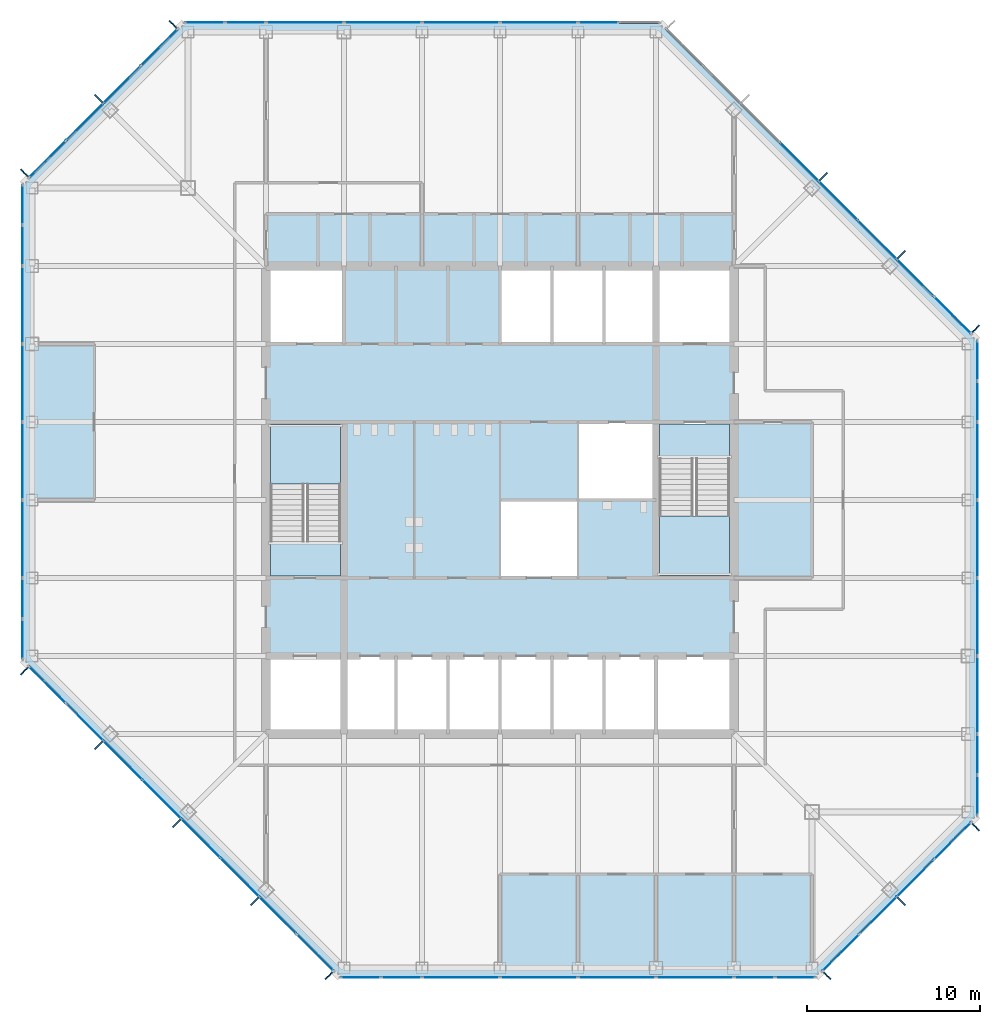
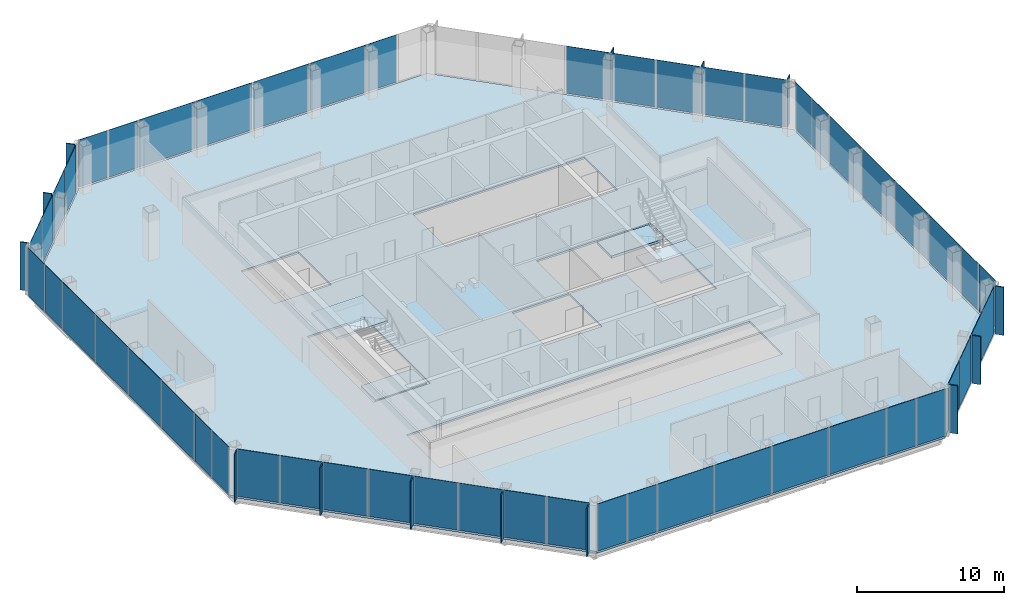
# One storey, part 7 of 12: 66 plates, 5 slabs, 10 elements without a shape of their own.
"""IFC4 building model written with IfcOpenShell, lengths in metres."""

from ifc_helpers import new_model, si_unit, direction, frame, origin, origin_2d, place, context, subcontext, project, spatial, polyline, rectangle, outline, extrude, material, layer, layer_set, type_object, element, aggregate, save


model = new_model("IFC4")

# Units and contexts
model_context = context("Model", 3, precision=1e-05, world=origin(), true_north=direction((0.0, 1.0)))
body_context = subcontext(model_context, "Body", "Model", "MODEL_VIEW")
ifc_project = project(units=[si_unit("LENGTHUNIT", "METRE"), si_unit("AREAUNIT", "SQUARE_METRE"), si_unit("VOLUMEUNIT", "CUBIC_METRE"), si_unit("PLANEANGLEUNIT", "RADIAN"), si_unit("MASSUNIT", "GRAM", prefix="KILO")], contexts=[model_context])

# Site, building, storey
site_placement = place(None, origin())
site = spatial("IfcSite", under=ifc_project, at=site_placement, CompositionType="ELEMENT")
building_placement = place(site_placement, origin())
building = spatial("IfcBuilding", under=site, at=building_placement, Name="Corais Broadcast Tower", CompositionType="ELEMENT")
storey_placement = place(building_placement, frame((0.0, 0.0, 159.60009765625)))
storey = spatial("IfcBuildingStorey", under=building, at=storey_placement, Name="L36", CompositionType="ELEMENT", Elevation=159.60009765625)

# Slab
ifc_material_1 = material(Name="Concrete C30/37", Category="concrete")
ifc_layer_1 = layer(ifc_material_1, 0.159912109375)
ifc_layer_set_1 = layer_set([ifc_layer_1], Name="Concrete C30/37")
slab_type_1 = type_object("IfcSlabType", Name="Composite floor slab 160", PredefinedType="FLOOR", material=ifc_layer_set_1)
slab_1_placement = place(storey_placement, frame((0.0, 0.0, -0.16015625)))
element("IfcSlab", 1, at=slab_1_placement, inside=storey, type_object=slab_type_1, Name="S160 floor slab L36", PredefinedType="FLOOR", context=body_context, shape_type="SweptSolid", body=[
    extrude(outline(polyline([(17.80126953125, -0.47998046875), (-0.47998046875, 17.80126953125), (-0.47998046875, 45.19873046875), (8.80126953125, 54.47998046875), (36.19873046875, 54.47998046875), (54.47998046875, 36.19873046875), (54.47998046875, 8.80126953125), (45.19873046875, -0.47998046875), (17.80126953125, -0.47998046875)]), holes=[polyline([(13.5, 18.0), (40.5, 18.0), (40.5, 13.5), (13.5, 13.5), (13.5, 18.0)]), polyline([(18.0, 22.5), (13.5, 22.5), (13.5, 31.5), (18.0, 31.5), (18.0, 22.5)]), polyline([(18.0, 36.0), (13.5, 36.0), (13.5, 40.5), (18.0, 40.5), (18.0, 36.0)]), polyline([(31.5, 22.5), (27.0, 22.5), (27.0, 27.0), (31.4951171875, 27.0), (31.4951171875, 27.0048828125), (31.5, 27.0048828125), (31.5, 31.5), (40.5, 31.5), (40.5, 22.5), (36.0, 22.5), (36.0, 27.0), (31.5048828125, 27.0), (31.5048828125, 26.9951171875), (31.5, 26.9951171875), (31.5, 22.5)]), polyline([(27.0, 40.5), (40.5, 40.5), (40.5, 36.0), (27.0, 36.0), (27.0, 40.5)])]), origin(), (0.0, 0.0, 1.0), 0.16015625),
])

# Curtain wall, plates
ifc_material_2 = material(Name="Aluminium and glass", Category="aluminium")
curtain_wall_type = type_object("IfcCurtainWallType", Name="Unitised fritted curtain wall CW2", PredefinedType="NOTDEFINED", material=ifc_material_2)
curtain_wall_1_placement = place(storey_placement, origin())
curtain_wall_1 = element("IfcCurtainWall", 2, at=curtain_wall_1_placement, inside=storey, type_object=curtain_wall_type, Name="CW2 curtain wall L36 1", PredefinedType="NOTDEFINED")
ifc_material_3 = material(Name="Ceramic-fritted laminated glass", Category="glass")
ifc_layer_2 = layer(ifc_material_3, 0.028076171875)
ifc_layer_set_2 = layer_set([ifc_layer_2], Name="Ceramic-fritted laminated glass")
plate_type_1 = type_object("IfcPlateType", Name="Fritted glass panel CW2", PredefinedType="CURTAIN_PANEL", material=ifc_layer_set_2)
plate_1_placement = place(storey_placement, frame((16.330322265625, 0.891845703125, 0.06494140625), z_axis=(0.0, 0.0, 1.0), x_axis=(-0.707106781187, 0.707106781187, 0.0)))
plate_1 = element("IfcPlate", 3, at=plate_1_placement, type_object=plate_type_1, Name="CW2 panel 1", PredefinedType="CURTAIN_PANEL", context=body_context, shape_type="SweptSolid", body=[
    extrude(rectangle(XDim=2.9482421875, YDim=0.028076171875, at=origin_2d()), origin(), (0.0, 0.0, 1.0), 3.93505859375),
])
plate_2_placement = place(storey_placement, frame((11.986083984375, 5.236083984375, 0.06494140625), z_axis=(0.0, 0.0, 1.0), x_axis=(-0.707106781187, 0.707106781187, 0.0)))
plate_2 = element("IfcPlate", 4, at=plate_2_placement, type_object=plate_type_1, Name="CW2 panel 3", PredefinedType="CURTAIN_PANEL", context=body_context, shape_type="SweptSolid", body=[
    extrude(rectangle(XDim=3.116943359375, YDim=0.028076171875, at=origin_2d()), origin(), (0.0, 0.0, 1.0), 3.93505859375),
])
plate_3_placement = place(storey_placement, frame((7.486083984375, 9.736083984375, 0.06494140625), z_axis=(0.0, 0.0, 1.0), x_axis=(-0.707106781187, 0.707106781187, 0.0)))
plate_3 = element("IfcPlate", 5, at=plate_3_placement, type_object=plate_type_1, Name="CW2 panel 5", PredefinedType="CURTAIN_PANEL", context=body_context, shape_type="SweptSolid", body=[
    extrude(rectangle(XDim=3.116943359375, YDim=0.028076171875, at=origin_2d()), origin(), (0.0, 0.0, 1.0), 3.93505859375),
])
plate_4_placement = place(storey_placement, frame((3.0341796875, 14.18798828125, 0.06494140625), z_axis=(0.0, 0.0, 1.0), x_axis=(-0.707106781187, 0.707106781187, 0.0)))
plate_4 = element("IfcPlate", 6, at=plate_4_placement, type_object=plate_type_1, Name="CW2 panel 7", PredefinedType="CURTAIN_PANEL", context=body_context, shape_type="SweptSolid", body=[
    extrude(rectangle(XDim=2.98095703125, YDim=0.028076171875, at=origin_2d()), origin(), (0.0, 0.0, 1.0), 3.93505859375),
])

curtain_wall_2_placement = place(storey_placement, origin())
curtain_wall_2 = element("IfcCurtainWall", 7, at=curtain_wall_2_placement, inside=storey, type_object=curtain_wall_type, Name="CW2 curtain wall L36 2", PredefinedType="NOTDEFINED")
plate_5_placement = place(storey_placement, frame((-0.550048828125, 18.970458984375, 0.06494140625), z_axis=(0.0, 0.0, 1.0), x_axis=(0.0, 1.0, 0.0)))
plate_5 = element("IfcPlate", 8, at=plate_5_placement, type_object=plate_type_1, Name="CW2 panel 1", PredefinedType="CURTAIN_PANEL", context=body_context, shape_type="SweptSolid", body=[
    extrude(rectangle(XDim=2.266357421875, YDim=0.028076171875, at=origin_2d()), origin(), (0.0, 0.0, 1.0), 3.93505859375),
])
plate_6_placement = place(storey_placement, frame((-0.550048828125, 24.75, 0.06494140625), z_axis=(0.0, 0.0, 1.0), x_axis=(0.0, 1.0, 0.0)))
plate_6 = element("IfcPlate", 9, at=plate_6_placement, type_object=plate_type_1, Name="CW2 panel 3", PredefinedType="CURTAIN_PANEL", context=body_context, shape_type="SweptSolid", body=[
    extrude(rectangle(XDim=4.43505859375, YDim=0.028076171875, at=origin_2d()), origin(), (0.0, 0.0, 1.0), 3.93505859375),
])
plate_7_placement = place(storey_placement, frame((-0.550048828125, 33.75, 0.06494140625), z_axis=(0.0, 0.0, 1.0), x_axis=(0.0, 1.0, 0.0)))
plate_7 = element("IfcPlate", 10, at=plate_7_placement, type_object=plate_type_1, Name="CW2 panel 5", PredefinedType="CURTAIN_PANEL", context=body_context, shape_type="SweptSolid", body=[
    extrude(rectangle(XDim=4.43505859375, YDim=0.028076171875, at=origin_2d()), origin(), (0.0, 0.0, 1.0), 3.93505859375),
])
plate_8_placement = place(storey_placement, frame((-0.550048828125, 41.681884765625, 0.06494140625), z_axis=(0.0, 0.0, 1.0), x_axis=(0.0, 1.0, 0.0)))
plate_8 = element("IfcPlate", 11, at=plate_8_placement, type_object=plate_type_1, Name="CW2 panel 7", PredefinedType="CURTAIN_PANEL", context=body_context, shape_type="SweptSolid", body=[
    extrude(rectangle(XDim=2.298828125, YDim=0.028076171875, at=origin_2d()), origin(), (0.0, 0.0, 1.0), 3.93505859375),
])

curtain_wall_3_placement = place(storey_placement, origin())
curtain_wall_3 = element("IfcCurtainWall", 12, at=curtain_wall_3_placement, inside=storey, type_object=curtain_wall_type, Name="CW2 curtain wall L36 3", PredefinedType="NOTDEFINED")
plate_9_placement = place(storey_placement, frame((0.891845703125, 46.669677734375, 0.06494140625), z_axis=(0.0, 0.0, 1.0), x_axis=(0.707106781187, 0.707106781187, 0.0)))
plate_9 = element("IfcPlate", 13, at=plate_9_placement, type_object=plate_type_1, Name="CW2 panel 1", PredefinedType="CURTAIN_PANEL", context=body_context, shape_type="SweptSolid", body=[
    extrude(rectangle(XDim=2.9482421875, YDim=0.028076171875, at=origin_2d()), origin(), (0.0, 0.0, 1.0), 3.93505859375),
])
plate_10_placement = place(storey_placement, frame((5.18798828125, 50.9658203125, 0.06494140625), z_axis=(0.0, 0.0, 1.0), x_axis=(0.707106781187, 0.707106781187, 0.0)))
plate_10 = element("IfcPlate", 14, at=plate_10_placement, type_object=plate_type_1, Name="CW2 panel 3", PredefinedType="CURTAIN_PANEL", context=body_context, shape_type="SweptSolid", body=[
    extrude(rectangle(XDim=2.98095703125, YDim=0.028076171875, at=origin_2d()), origin(), (0.0, 0.0, 1.0), 3.93505859375),
])

curtain_wall_4_placement = place(storey_placement, origin())
curtain_wall_4 = element("IfcCurtainWall", 15, at=curtain_wall_4_placement, inside=storey, type_object=curtain_wall_type, Name="CW2 curtain wall L36 4", PredefinedType="NOTDEFINED")
plate_11_placement = place(storey_placement, frame((9.970458984375, 54.550048828125, 0.06494140625), z_axis=(0.0, 0.0, 1.0), x_axis=(1.0, 0.0, 0.0)))
plate_11 = element("IfcPlate", 16, at=plate_11_placement, type_object=plate_type_1, Name="CW2 panel 1", PredefinedType="CURTAIN_PANEL", context=body_context, shape_type="SweptSolid", body=[
    extrude(rectangle(XDim=2.266357421875, YDim=0.028076171875, at=origin_2d()), origin(), (0.0, 0.0, 1.0), 3.93505859375),
])
plate_12_placement = place(storey_placement, frame((15.75, 54.550048828125, 0.06494140625), z_axis=(0.0, 0.0, 1.0), x_axis=(1.0, 0.0, 0.0)))
plate_12 = element("IfcPlate", 17, at=plate_12_placement, type_object=plate_type_1, Name="CW2 panel 3", PredefinedType="CURTAIN_PANEL", context=body_context, shape_type="SweptSolid", body=[
    extrude(rectangle(XDim=4.43505859375, YDim=0.028076171875, at=origin_2d()), origin(), (0.0, 0.0, 1.0), 3.93505859375),
])
plate_13_placement = place(storey_placement, frame((24.75, 54.550048828125, 0.06494140625), z_axis=(0.0, 0.0, 1.0), x_axis=(1.0, 0.0, 0.0)))
plate_13 = element("IfcPlate", 18, at=plate_13_placement, type_object=plate_type_1, Name="CW2 panel 5", PredefinedType="CURTAIN_PANEL", context=body_context, shape_type="SweptSolid", body=[
    extrude(rectangle(XDim=4.43505859375, YDim=0.028076171875, at=origin_2d()), origin(), (0.0, 0.0, 1.0), 3.93505859375),
])
plate_14_placement = place(storey_placement, frame((32.681884765625, 54.550048828125, 0.06494140625), z_axis=(0.0, 0.0, 1.0), x_axis=(1.0, 0.0, 0.0)))
plate_14 = element("IfcPlate", 19, at=plate_14_placement, type_object=plate_type_1, Name="CW2 panel 7", PredefinedType="CURTAIN_PANEL", context=body_context, shape_type="SweptSolid", body=[
    extrude(rectangle(XDim=2.298828125, YDim=0.028076171875, at=origin_2d()), origin(), (0.0, 0.0, 1.0), 3.93505859375),
])

curtain_wall_5_placement = place(storey_placement, origin())
curtain_wall_5 = element("IfcCurtainWall", 20, at=curtain_wall_5_placement, inside=storey, type_object=curtain_wall_type, Name="CW2 curtain wall L36 5", PredefinedType="NOTDEFINED")
plate_15_placement = place(storey_placement, frame((46.513916015625, 44.263916015625, 0.06494140625), z_axis=(0.0, 0.0, 1.0), x_axis=(0.707106781187, -0.707106781187, 0.0)))
plate_15 = element("IfcPlate", 21, at=plate_15_placement, type_object=plate_type_1, Name="CW2 panel 5", PredefinedType="CURTAIN_PANEL", context=body_context, shape_type="SweptSolid", body=[
    extrude(rectangle(XDim=3.116943359375, YDim=0.028076171875, at=origin_2d()), origin(), (0.0, 0.0, 1.0), 3.93505859375),
])
plate_16_placement = place(storey_placement, frame((50.9658203125, 39.81201171875, 0.06494140625), z_axis=(0.0, 0.0, 1.0), x_axis=(0.707106781187, -0.707106781187, 0.0)))
plate_16 = element("IfcPlate", 22, at=plate_16_placement, type_object=plate_type_1, Name="CW2 panel 7", PredefinedType="CURTAIN_PANEL", context=body_context, shape_type="SweptSolid", body=[
    extrude(rectangle(XDim=2.98095703125, YDim=0.028076171875, at=origin_2d()), origin(), (0.0, 0.0, 1.0), 3.93505859375),
])

curtain_wall_6_placement = place(storey_placement, origin())
curtain_wall_6 = element("IfcCurtainWall", 23, at=curtain_wall_6_placement, inside=storey, type_object=curtain_wall_type, Name="CW2 curtain wall L36 6", PredefinedType="NOTDEFINED")
plate_17_placement = place(storey_placement, frame((54.550048828125, 35.029541015625, 0.06494140625), z_axis=(0.0, 0.0, 1.0), x_axis=(0.0, -1.0, 0.0)))
plate_17 = element("IfcPlate", 24, at=plate_17_placement, type_object=plate_type_1, Name="CW2 panel 1", PredefinedType="CURTAIN_PANEL", context=body_context, shape_type="SweptSolid", body=[
    extrude(rectangle(XDim=2.266357421875, YDim=0.028076171875, at=origin_2d()), origin(), (0.0, 0.0, 1.0), 3.93505859375),
])
plate_18_placement = place(storey_placement, frame((54.550048828125, 29.25, 0.06494140625), z_axis=(0.0, 0.0, 1.0), x_axis=(0.0, -1.0, 0.0)))
plate_18 = element("IfcPlate", 25, at=plate_18_placement, type_object=plate_type_1, Name="CW2 panel 3", PredefinedType="CURTAIN_PANEL", context=body_context, shape_type="SweptSolid", body=[
    extrude(rectangle(XDim=4.43505859375, YDim=0.028076171875, at=origin_2d()), origin(), (0.0, 0.0, 1.0), 3.93505859375),
])
plate_19_placement = place(storey_placement, frame((54.550048828125, 20.25, 0.06494140625), z_axis=(0.0, 0.0, 1.0), x_axis=(0.0, -1.0, 0.0)))
plate_19 = element("IfcPlate", 26, at=plate_19_placement, type_object=plate_type_1, Name="CW2 panel 5", PredefinedType="CURTAIN_PANEL", context=body_context, shape_type="SweptSolid", body=[
    extrude(rectangle(XDim=4.43505859375, YDim=0.028076171875, at=origin_2d()), origin(), (0.0, 0.0, 1.0), 3.93505859375),
])
plate_20_placement = place(storey_placement, frame((54.550048828125, 12.318115234375, 0.06494140625), z_axis=(0.0, 0.0, 1.0), x_axis=(0.0, -1.0, 0.0)))
plate_20 = element("IfcPlate", 27, at=plate_20_placement, type_object=plate_type_1, Name="CW2 panel 7", PredefinedType="CURTAIN_PANEL", context=body_context, shape_type="SweptSolid", body=[
    extrude(rectangle(XDim=2.298828125, YDim=0.028076171875, at=origin_2d()), origin(), (0.0, 0.0, 1.0), 3.93505859375),
])

curtain_wall_7_placement = place(storey_placement, origin())
curtain_wall_7 = element("IfcCurtainWall", 28, at=curtain_wall_7_placement, inside=storey, type_object=curtain_wall_type, Name="CW2 curtain wall L36 7", PredefinedType="NOTDEFINED")
plate_21_placement = place(storey_placement, frame((53.108154296875, 7.330322265625, 0.06494140625), z_axis=(0.0, 0.0, 1.0), x_axis=(-0.707106781187, -0.707106781187, 0.0)))
plate_21 = element("IfcPlate", 29, at=plate_21_placement, type_object=plate_type_1, Name="CW2 panel 1", PredefinedType="CURTAIN_PANEL", context=body_context, shape_type="SweptSolid", body=[
    extrude(rectangle(XDim=2.9482421875, YDim=0.028076171875, at=origin_2d()), origin(), (0.0, 0.0, 1.0), 3.93505859375),
])
plate_22_placement = place(storey_placement, frame((48.81201171875, 3.0341796875, 0.06494140625), z_axis=(0.0, 0.0, 1.0), x_axis=(-0.707106781187, -0.707106781187, 0.0)))
plate_22 = element("IfcPlate", 30, at=plate_22_placement, type_object=plate_type_1, Name="CW2 panel 3", PredefinedType="CURTAIN_PANEL", context=body_context, shape_type="SweptSolid", body=[
    extrude(rectangle(XDim=2.98095703125, YDim=0.028076171875, at=origin_2d()), origin(), (0.0, 0.0, 1.0), 3.93505859375),
])

curtain_wall_8_placement = place(storey_placement, origin())
curtain_wall_8 = element("IfcCurtainWall", 31, at=curtain_wall_8_placement, inside=storey, type_object=curtain_wall_type, Name="CW2 curtain wall L36 8", PredefinedType="NOTDEFINED")
plate_23_placement = place(storey_placement, frame((44.029541015625, -0.550048828125, 0.06494140625), z_axis=(0.0, 0.0, 1.0), x_axis=(-1.0, 0.0, 0.0)))
plate_23 = element("IfcPlate", 32, at=plate_23_placement, type_object=plate_type_1, Name="CW2 panel 1", PredefinedType="CURTAIN_PANEL", context=body_context, shape_type="SweptSolid", body=[
    extrude(rectangle(XDim=2.266357421875, YDim=0.028076171875, at=origin_2d()), origin(), (0.0, 0.0, 1.0), 3.93505859375),
])
plate_24_placement = place(storey_placement, frame((38.25, -0.550048828125, 0.06494140625), z_axis=(0.0, 0.0, 1.0), x_axis=(-1.0, 0.0, 0.0)))
plate_24 = element("IfcPlate", 33, at=plate_24_placement, type_object=plate_type_1, Name="CW2 panel 3", PredefinedType="CURTAIN_PANEL", context=body_context, shape_type="SweptSolid", body=[
    extrude(rectangle(XDim=4.43505859375, YDim=0.028076171875, at=origin_2d()), origin(), (0.0, 0.0, 1.0), 3.93505859375),
])
plate_25_placement = place(storey_placement, frame((29.25, -0.550048828125, 0.06494140625), z_axis=(0.0, 0.0, 1.0), x_axis=(-1.0, 0.0, 0.0)))
plate_25 = element("IfcPlate", 34, at=plate_25_placement, type_object=plate_type_1, Name="CW2 panel 5", PredefinedType="CURTAIN_PANEL", context=body_context, shape_type="SweptSolid", body=[
    extrude(rectangle(XDim=4.43505859375, YDim=0.028076171875, at=origin_2d()), origin(), (0.0, 0.0, 1.0), 3.93505859375),
])
plate_26_placement = place(storey_placement, frame((21.318115234375, -0.550048828125, 0.06494140625), z_axis=(0.0, 0.0, 1.0), x_axis=(-1.0, 0.0, 0.0)))
plate_26 = element("IfcPlate", 35, at=plate_26_placement, type_object=plate_type_1, Name="CW2 panel 7", PredefinedType="CURTAIN_PANEL", context=body_context, shape_type="SweptSolid", body=[
    extrude(rectangle(XDim=2.298828125, YDim=0.028076171875, at=origin_2d()), origin(), (0.0, 0.0, 1.0), 3.93505859375),
])

# Plate
ifc_material_4 = material(Name="Clear laminated glass", Category="glass")
ifc_layer_3 = layer(ifc_material_4, 0.031982421875)
ifc_layer_set_3 = layer_set([ifc_layer_3], Name="Clear laminated glass")
plate_type_2 = type_object("IfcPlateType", Name="Operable glass panel CW2", PredefinedType="CURTAIN_PANEL", material=ifc_layer_set_3)
plate_27_placement = place(storey_placement, frame((14.18798828125, 3.0341796875, 0.06494140625), z_axis=(0.0, 0.0, 1.0), x_axis=(-0.707106781187, 0.707106781187, 0.0)))
plate_27 = element("IfcPlate", 36, at=plate_27_placement, type_object=plate_type_2, Name="CW2 operable panel 2", PredefinedType="CURTAIN_PANEL", context=body_context, shape_type="SweptSolid", body=[
    extrude(rectangle(XDim=2.98095703125, YDim=0.031982421875, at=origin_2d()), origin(), (0.0, 0.0, 1.0), 3.93505859375),
])

plate_28_placement = place(storey_placement, frame((9.736083984375, 7.486083984375, 0.06494140625), z_axis=(0.0, 0.0, 1.0), x_axis=(-0.707106781187, 0.707106781187, 0.0)))
plate_28 = element("IfcPlate", 37, at=plate_28_placement, type_object=plate_type_2, Name="CW2 operable panel 4", PredefinedType="CURTAIN_PANEL", context=body_context, shape_type="SweptSolid", body=[
    extrude(rectangle(XDim=3.116943359375, YDim=0.031982421875, at=origin_2d()), origin(), (0.0, 0.0, 1.0), 3.93505859375),
])

plate_29_placement = place(storey_placement, frame((5.236083984375, 11.986083984375, 0.06494140625), z_axis=(0.0, 0.0, 1.0), x_axis=(-0.707106781187, 0.707106781187, 0.0)))
plate_29 = element("IfcPlate", 38, at=plate_29_placement, type_object=plate_type_2, Name="CW2 operable panel 6", PredefinedType="CURTAIN_PANEL", context=body_context, shape_type="SweptSolid", body=[
    extrude(rectangle(XDim=3.116943359375, YDim=0.031982421875, at=origin_2d()), origin(), (0.0, 0.0, 1.0), 3.93505859375),
])

plate_30_placement = place(storey_placement, frame((0.89208984375, 16.330322265625, 0.06494140625), z_axis=(0.0, 0.0, 1.0), x_axis=(-0.707106781187, 0.707106781187, 0.0)))
plate_30 = element("IfcPlate", 39, at=plate_30_placement, type_object=plate_type_2, Name="CW2 operable panel 8", PredefinedType="CURTAIN_PANEL", context=body_context, shape_type="SweptSolid", body=[
    extrude(rectangle(XDim=2.948486328125, YDim=0.031982421875, at=origin_2d()), origin(), (0.0, 0.0, 1.0), 3.93505859375),
])

aggregate(curtain_wall_1, [plate_1, plate_27, plate_2, plate_28, plate_3, plate_29, plate_4, plate_30])

plate_31_placement = place(storey_placement, frame((-0.550048828125, 21.318115234375, 0.06494140625), z_axis=(0.0, 0.0, 1.0), x_axis=(0.0, 1.0, 0.0)))
plate_31 = element("IfcPlate", 40, at=plate_31_placement, type_object=plate_type_2, Name="CW2 operable panel 2", PredefinedType="CURTAIN_PANEL", context=body_context, shape_type="SweptSolid", body=[
    extrude(rectangle(XDim=2.298828125, YDim=0.031982421875, at=origin_2d()), origin(), (0.0, 0.0, 1.0), 3.93505859375),
])

plate_32_placement = place(storey_placement, frame((-0.550048828125, 29.25, 0.06494140625), z_axis=(0.0, 0.0, 1.0), x_axis=(0.0, 1.0, 0.0)))
plate_32 = element("IfcPlate", 41, at=plate_32_placement, type_object=plate_type_2, Name="CW2 operable panel 4", PredefinedType="CURTAIN_PANEL", context=body_context, shape_type="SweptSolid", body=[
    extrude(rectangle(XDim=4.43505859375, YDim=0.031982421875, at=origin_2d()), origin(), (0.0, 0.0, 1.0), 3.93505859375),
])

plate_33_placement = place(storey_placement, frame((-0.550048828125, 38.25, 0.06494140625), z_axis=(0.0, 0.0, 1.0), x_axis=(0.0, 1.0, 0.0)))
plate_33 = element("IfcPlate", 42, at=plate_33_placement, type_object=plate_type_2, Name="CW2 operable panel 6", PredefinedType="CURTAIN_PANEL", context=body_context, shape_type="SweptSolid", body=[
    extrude(rectangle(XDim=4.43505859375, YDim=0.031982421875, at=origin_2d()), origin(), (0.0, 0.0, 1.0), 3.93505859375),
])

plate_34_placement = place(storey_placement, frame((-0.550048828125, 44.029541015625, 0.06494140625), z_axis=(0.0, 0.0, 1.0), x_axis=(0.0, 1.0, 0.0)))
plate_34 = element("IfcPlate", 43, at=plate_34_placement, type_object=plate_type_2, Name="CW2 operable panel 8", PredefinedType="CURTAIN_PANEL", context=body_context, shape_type="SweptSolid", body=[
    extrude(rectangle(XDim=2.266357421875, YDim=0.031982421875, at=origin_2d()), origin(), (0.0, 0.0, 1.0), 3.93505859375),
])

aggregate(curtain_wall_2, [plate_5, plate_31, plate_6, plate_32, plate_7, plate_33, plate_8, plate_34])

plate_35_placement = place(storey_placement, frame((3.0341796875, 48.81201171875, 0.06494140625), z_axis=(0.0, 0.0, 1.0), x_axis=(0.707106781187, 0.707106781187, 0.0)))
plate_35 = element("IfcPlate", 44, at=plate_35_placement, type_object=plate_type_2, Name="CW2 operable panel 2", PredefinedType="CURTAIN_PANEL", context=body_context, shape_type="SweptSolid", body=[
    extrude(rectangle(XDim=2.98095703125, YDim=0.031982421875, at=origin_2d()), origin(), (0.0, 0.0, 1.0), 3.93505859375),
])

plate_36_placement = place(storey_placement, frame((7.330322265625, 53.10791015625, 0.06494140625), z_axis=(0.0, 0.0, 1.0), x_axis=(0.707106781187, 0.707106781187, 0.0)))
plate_36 = element("IfcPlate", 45, at=plate_36_placement, type_object=plate_type_2, Name="CW2 operable panel 4", PredefinedType="CURTAIN_PANEL", context=body_context, shape_type="SweptSolid", body=[
    extrude(rectangle(XDim=2.948486328125, YDim=0.031982421875, at=origin_2d()), origin(), (0.0, 0.0, 1.0), 3.93505859375),
])

aggregate(curtain_wall_3, [plate_9, plate_35, plate_10, plate_36])

plate_37_placement = place(storey_placement, frame((12.318115234375, 54.550048828125, 0.06494140625), z_axis=(0.0, 0.0, 1.0), x_axis=(1.0, 0.0, 0.0)))
plate_37 = element("IfcPlate", 46, at=plate_37_placement, type_object=plate_type_2, Name="CW2 operable panel 2", PredefinedType="CURTAIN_PANEL", context=body_context, shape_type="SweptSolid", body=[
    extrude(rectangle(XDim=2.298828125, YDim=0.031982421875, at=origin_2d()), origin(), (0.0, 0.0, 1.0), 3.93505859375),
])

plate_38_placement = place(storey_placement, frame((20.25, 54.550048828125, 0.06494140625), z_axis=(0.0, 0.0, 1.0), x_axis=(1.0, 0.0, 0.0)))
plate_38 = element("IfcPlate", 47, at=plate_38_placement, type_object=plate_type_2, Name="CW2 operable panel 4", PredefinedType="CURTAIN_PANEL", context=body_context, shape_type="SweptSolid", body=[
    extrude(rectangle(XDim=4.43505859375, YDim=0.031982421875, at=origin_2d()), origin(), (0.0, 0.0, 1.0), 3.93505859375),
])

plate_39_placement = place(storey_placement, frame((29.25, 54.550048828125, 0.06494140625), z_axis=(0.0, 0.0, 1.0), x_axis=(1.0, 0.0, 0.0)))
plate_39 = element("IfcPlate", 48, at=plate_39_placement, type_object=plate_type_2, Name="CW2 operable panel 6", PredefinedType="CURTAIN_PANEL", context=body_context, shape_type="SweptSolid", body=[
    extrude(rectangle(XDim=4.43505859375, YDim=0.031982421875, at=origin_2d()), origin(), (0.0, 0.0, 1.0), 3.93505859375),
])

aggregate(curtain_wall_4, [plate_11, plate_37, plate_12, plate_38, plate_13, plate_39, plate_14])

plate_40_placement = place(storey_placement, frame((44.263916015625, 46.513916015625, 0.06494140625), z_axis=(0.0, 0.0, 1.0), x_axis=(0.707106781187, -0.707106781187, 0.0)))
plate_40 = element("IfcPlate", 49, at=plate_40_placement, type_object=plate_type_2, Name="CW2 operable panel 4", PredefinedType="CURTAIN_PANEL", context=body_context, shape_type="SweptSolid", body=[
    extrude(rectangle(XDim=3.116943359375, YDim=0.031982421875, at=origin_2d()), origin(), (0.0, 0.0, 1.0), 3.93505859375),
])

plate_41_placement = place(storey_placement, frame((48.763916015625, 42.013916015625, 0.06494140625), z_axis=(0.0, 0.0, 1.0), x_axis=(0.707106781187, -0.707106781187, 0.0)))
plate_41 = element("IfcPlate", 50, at=plate_41_placement, type_object=plate_type_2, Name="CW2 operable panel 6", PredefinedType="CURTAIN_PANEL", context=body_context, shape_type="SweptSolid", body=[
    extrude(rectangle(XDim=3.116943359375, YDim=0.031982421875, at=origin_2d()), origin(), (0.0, 0.0, 1.0), 3.93505859375),
])

plate_42_placement = place(storey_placement, frame((53.10791015625, 37.669677734375, 0.06494140625), z_axis=(0.0, 0.0, 1.0), x_axis=(0.707106781187, -0.707106781187, 0.0)))
plate_42 = element("IfcPlate", 51, at=plate_42_placement, type_object=plate_type_2, Name="CW2 operable panel 8", PredefinedType="CURTAIN_PANEL", context=body_context, shape_type="SweptSolid", body=[
    extrude(rectangle(XDim=2.948486328125, YDim=0.031982421875, at=origin_2d()), origin(), (0.0, 0.0, 1.0), 3.93505859375),
])

aggregate(curtain_wall_5, [plate_40, plate_15, plate_41, plate_16, plate_42])

plate_43_placement = place(storey_placement, frame((54.550048828125, 32.681884765625, 0.06494140625), z_axis=(0.0, 0.0, 1.0), x_axis=(0.0, -1.0, 0.0)))
plate_43 = element("IfcPlate", 52, at=plate_43_placement, type_object=plate_type_2, Name="CW2 operable panel 2", PredefinedType="CURTAIN_PANEL", context=body_context, shape_type="SweptSolid", body=[
    extrude(rectangle(XDim=2.298828125, YDim=0.031982421875, at=origin_2d()), origin(), (0.0, 0.0, 1.0), 3.93505859375),
])

plate_44_placement = place(storey_placement, frame((54.550048828125, 24.75, 0.06494140625), z_axis=(0.0, 0.0, 1.0), x_axis=(0.0, -1.0, 0.0)))
plate_44 = element("IfcPlate", 53, at=plate_44_placement, type_object=plate_type_2, Name="CW2 operable panel 4", PredefinedType="CURTAIN_PANEL", context=body_context, shape_type="SweptSolid", body=[
    extrude(rectangle(XDim=4.43505859375, YDim=0.031982421875, at=origin_2d()), origin(), (0.0, 0.0, 1.0), 3.93505859375),
])

plate_45_placement = place(storey_placement, frame((54.550048828125, 15.75, 0.06494140625), z_axis=(0.0, 0.0, 1.0), x_axis=(0.0, -1.0, 0.0)))
plate_45 = element("IfcPlate", 54, at=plate_45_placement, type_object=plate_type_2, Name="CW2 operable panel 6", PredefinedType="CURTAIN_PANEL", context=body_context, shape_type="SweptSolid", body=[
    extrude(rectangle(XDim=4.43505859375, YDim=0.031982421875, at=origin_2d()), origin(), (0.0, 0.0, 1.0), 3.93505859375),
])

plate_46_placement = place(storey_placement, frame((54.550048828125, 9.970458984375, 0.06494140625), z_axis=(0.0, 0.0, 1.0), x_axis=(0.0, -1.0, 0.0)))
plate_46 = element("IfcPlate", 55, at=plate_46_placement, type_object=plate_type_2, Name="CW2 operable panel 8", PredefinedType="CURTAIN_PANEL", context=body_context, shape_type="SweptSolid", body=[
    extrude(rectangle(XDim=2.266357421875, YDim=0.031982421875, at=origin_2d()), origin(), (0.0, 0.0, 1.0), 3.93505859375),
])

aggregate(curtain_wall_6, [plate_17, plate_43, plate_18, plate_44, plate_19, plate_45, plate_20, plate_46])

plate_47_placement = place(storey_placement, frame((50.9658203125, 5.18798828125, 0.06494140625), z_axis=(0.0, 0.0, 1.0), x_axis=(-0.707106781187, -0.707106781187, 0.0)))
plate_47 = element("IfcPlate", 56, at=plate_47_placement, type_object=plate_type_2, Name="CW2 operable panel 2", PredefinedType="CURTAIN_PANEL", context=body_context, shape_type="SweptSolid", body=[
    extrude(rectangle(XDim=2.98095703125, YDim=0.031982421875, at=origin_2d()), origin(), (0.0, 0.0, 1.0), 3.93505859375),
])

plate_48_placement = place(storey_placement, frame((46.669677734375, 0.89208984375, 0.06494140625), z_axis=(0.0, 0.0, 1.0), x_axis=(-0.707106781187, -0.707106781187, 0.0)))
plate_48 = element("IfcPlate", 57, at=plate_48_placement, type_object=plate_type_2, Name="CW2 operable panel 4", PredefinedType="CURTAIN_PANEL", context=body_context, shape_type="SweptSolid", body=[
    extrude(rectangle(XDim=2.948486328125, YDim=0.031982421875, at=origin_2d()), origin(), (0.0, 0.0, 1.0), 3.93505859375),
])

aggregate(curtain_wall_7, [plate_21, plate_47, plate_22, plate_48])

plate_49_placement = place(storey_placement, frame((41.681884765625, -0.550048828125, 0.06494140625), z_axis=(0.0, 0.0, 1.0), x_axis=(-1.0, 0.0, 0.0)))
plate_49 = element("IfcPlate", 58, at=plate_49_placement, type_object=plate_type_2, Name="CW2 operable panel 2", PredefinedType="CURTAIN_PANEL", context=body_context, shape_type="SweptSolid", body=[
    extrude(rectangle(XDim=2.298828125, YDim=0.031982421875, at=origin_2d()), origin(), (0.0, 0.0, 1.0), 3.93505859375),
])

plate_50_placement = place(storey_placement, frame((33.75, -0.550048828125, 0.06494140625), z_axis=(0.0, 0.0, 1.0), x_axis=(-1.0, 0.0, 0.0)))
plate_50 = element("IfcPlate", 59, at=plate_50_placement, type_object=plate_type_2, Name="CW2 operable panel 4", PredefinedType="CURTAIN_PANEL", context=body_context, shape_type="SweptSolid", body=[
    extrude(rectangle(XDim=4.43505859375, YDim=0.031982421875, at=origin_2d()), origin(), (0.0, 0.0, 1.0), 3.93505859375),
])

plate_51_placement = place(storey_placement, frame((24.75, -0.550048828125, 0.06494140625), z_axis=(0.0, 0.0, 1.0), x_axis=(-1.0, 0.0, 0.0)))
plate_51 = element("IfcPlate", 60, at=plate_51_placement, type_object=plate_type_2, Name="CW2 operable panel 6", PredefinedType="CURTAIN_PANEL", context=body_context, shape_type="SweptSolid", body=[
    extrude(rectangle(XDim=4.43505859375, YDim=0.031982421875, at=origin_2d()), origin(), (0.0, 0.0, 1.0), 3.93505859375),
])

plate_52_placement = place(storey_placement, frame((18.970458984375, -0.550048828125, 0.06494140625), z_axis=(0.0, 0.0, 1.0), x_axis=(-1.0, 0.0, 0.0)))
plate_52 = element("IfcPlate", 61, at=plate_52_placement, type_object=plate_type_2, Name="CW2 operable panel 8", PredefinedType="CURTAIN_PANEL", context=body_context, shape_type="SweptSolid", body=[
    extrude(rectangle(XDim=2.266357421875, YDim=0.031982421875, at=origin_2d()), origin(), (0.0, 0.0, 1.0), 3.93505859375),
])

aggregate(curtain_wall_8, [plate_23, plate_49, plate_24, plate_50, plate_25, plate_51, plate_26, plate_52])

# Stair, slabs
ifc_material_5 = material(Name="Concrete C30/37", Category="concrete")
stair_type = type_object("IfcStairType", Name="Half-turn stair 4000", PredefinedType="HALF_TURN_STAIR", material=ifc_material_5)
stair_1_placement = place(storey_placement, origin())
stair_1 = element("IfcStair", 62, at=stair_1_placement, inside=storey, type_object=stair_type, Name="Stair A L36", PredefinedType="HALF_TURN_STAIR")
ifc_material_6 = material(Name="Concrete C30/37", Category="concrete")
ifc_layer_4 = layer(ifc_material_6, 0.199951171875)
ifc_layer_set_4 = layer_set([ifc_layer_4], Name="Concrete C30/37")
slab_type_2 = type_object("IfcSlabType", Name="Stair landing 200", PredefinedType="LANDING", material=ifc_layer_set_4)
slab_2_placement = place(storey_placement, frame((0.0, 0.0, -0.2001953125)))
slab_2 = element("IfcSlab", 63, at=slab_2_placement, type_object=slab_type_2, Name="STA landing 1", PredefinedType="LANDING", context=body_context, shape_type="SweptSolid", body=[
    extrude(outline(polyline([(13.75, 22.625), (17.800048828125, 22.625), (17.800048828125, 24.60009765625), (13.75, 24.60009765625), (13.75, 22.625)])), origin(), (0.0, 0.0, 1.0), 0.2001953125),
])
slab_3_placement = place(storey_placement, frame((0.0, 0.0, 1.7998046875)))
slab_3 = element("IfcSlab", 64, at=slab_3_placement, type_object=slab_type_2, Name="STA landing 2", PredefinedType="LANDING", context=body_context, shape_type="SweptSolid", body=[
    extrude(outline(polyline([(13.75, 27.922119140625), (17.800048828125, 27.922119140625), (17.800048828125, 31.375), (13.75, 31.375), (13.75, 27.922119140625)])), origin(), (0.0, 0.0, 1.0), 0.2001953125),
])
aggregate(stair_1, [slab_2, slab_3])

stair_2_placement = place(storey_placement, origin())
stair_2 = element("IfcStair", 65, at=stair_2_placement, inside=storey, type_object=stair_type, Name="Stair B L36", PredefinedType="HALF_TURN_STAIR")
slab_4_placement = place(storey_placement, frame((0.0, 0.0, -0.2001953125)))
slab_4 = element("IfcSlab", 66, at=slab_4_placement, type_object=slab_type_2, Name="STB landing 1", PredefinedType="LANDING", context=body_context, shape_type="SweptSolid", body=[
    extrude(outline(polyline([(36.199951171875, 29.39990234375), (40.25, 29.39990234375), (40.25, 31.375), (36.199951171875, 31.375), (36.199951171875, 29.39990234375)])), origin(), (0.0, 0.0, 1.0), 0.2001953125),
])
slab_5_placement = place(storey_placement, frame((0.0, 0.0, 1.7998046875)))
slab_5 = element("IfcSlab", 67, at=slab_5_placement, type_object=slab_type_2, Name="STB landing 2", PredefinedType="LANDING", context=body_context, shape_type="SweptSolid", body=[
    extrude(outline(polyline([(36.199951171875, 22.625), (40.25, 22.625), (40.25, 26.077880859375), (36.199951171875, 26.077880859375), (36.199951171875, 22.625)])), origin(), (0.0, 0.0, 1.0), 0.2001953125),
])
aggregate(stair_2, [slab_4, slab_5])

# Plates
ifc_material_7 = material(Name="Granite stone cladding", Category="masonry")
ifc_layer_5 = layer(ifc_material_7, 0.080078125)
ifc_layer_set_5 = layer_set([ifc_layer_5], Name="Granite stone cladding")
plate_type_3 = type_object("IfcPlateType", Name="Stone screen fin 80x600", PredefinedType="USERDEFINED", material=ifc_layer_set_5)
for number, where, z_axis, x_axis, name in (
    (68, (17.1220703125, -0.447021484375, 0.0), (0.0, 0.0, 1.0), (-0.707106781187, 0.707106781187, 0.0), "SF1 stone screen fin L36"),
    (69, (12.83740234375, 3.83740234375, 0.0), (0.0, 0.0, 1.0), (-0.707106781187, 0.707106781187, 0.0), "SF1 stone screen fin L36"),
    (70, (8.33740234375, 8.33740234375, 0.0), (0.0, 0.0, 1.0), (-0.707106781187, 0.707106781187, 0.0), "SF1 stone screen fin L36"),
    (71, (3.83740234375, 12.83740234375, 0.0), (0.0, 0.0, 1.0), (-0.707106781187, 0.707106781187, 0.0), "SF1 stone screen fin L36"),
    (72, (-0.447021484375, 17.1220703125, 0.0), (0.0, 0.0, 1.0), (-0.707106781187, 0.707106781187, 0.0), "SF1 stone screen fin L36"),
    (73, (-0.447021484375, 45.8779296875, 0.0), (0.0, 0.0, 1.0), (0.707106781187, 0.707106781187, 0.0), "SF1 stone screen fin L36"),
    (74, (3.83740234375, 50.16259765625, 0.0), (0.0, 0.0, 1.0), (0.707106781187, 0.707106781187, 0.0), "SF1 stone screen fin L36"),
    (75, (8.1220703125, 54.447021484375, 0.0), (0.0, 0.0, 1.0), (0.707106781187, 0.707106781187, 0.0), "SF1 stone screen fin L36"),
    (76, (45.66259765625, 45.66259765625, 0.0), (0.0, 0.0, 1.0), (0.707106781187, -0.707106781187, 0.0), "SF1 stone screen fin L36"),
    (77, (50.16259765625, 41.16259765625, 0.0), (0.0, 0.0, 1.0), (0.707106781187, -0.707106781187, 0.0), "SF1 stone screen fin L36"),
    (78, (54.447021484375, 36.8779296875, 0.0), (0.0, 0.0, 1.0), (0.707106781187, -0.707106781187, 0.0), "SF1 stone screen fin L36"),
    (79, (54.447021484375, 8.1220703125, 0.0), (0.0, 0.0, 1.0), (-0.707106781187, -0.707106781187, 0.0), "SF1 stone screen fin L36"),
    (80, (50.16259765625, 3.83740234375, 0.0), (0.0, 0.0, 1.0), (-0.707106781187, -0.707106781187, 0.0), "SF1 stone screen fin L36"),
    (81, (45.8779296875, -0.447021484375, 0.0), (0.0, 0.0, 1.0), (-0.707106781187, -0.707106781187, 0.0), "SF1 stone screen fin L36"),
):
    element("IfcPlate", number, at=place(storey_placement, frame(where, z_axis=z_axis, x_axis=x_axis)), inside=storey, type_object=plate_type_3, Name=name, ObjectType="STONE SCREEN FIN", PredefinedType="USERDEFINED", context=body_context, shape_type="SweptSolid", body=[
        extrude(rectangle(XDim=0.080078125, YDim=0.60009765625, at=origin_2d()), origin(), (0.0, 0.0, 1.0), 4.0),
    ])

save(model, "model.ifc")
